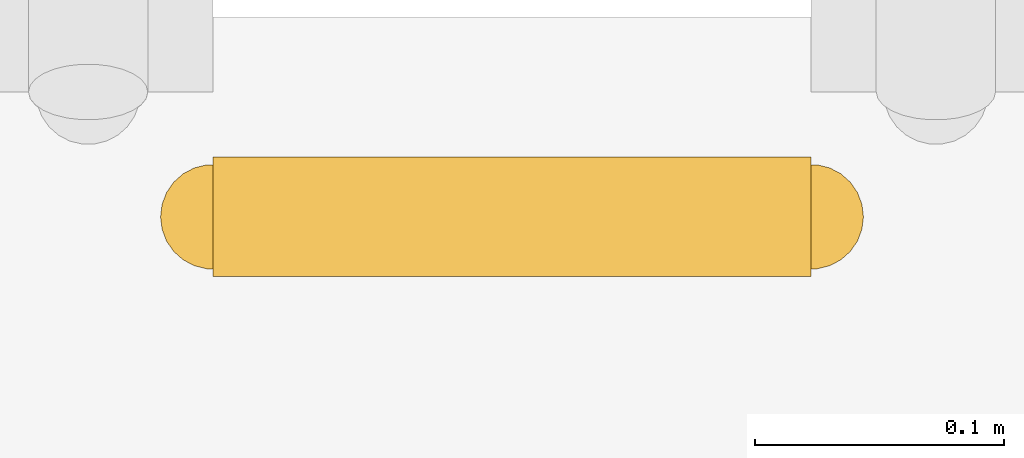
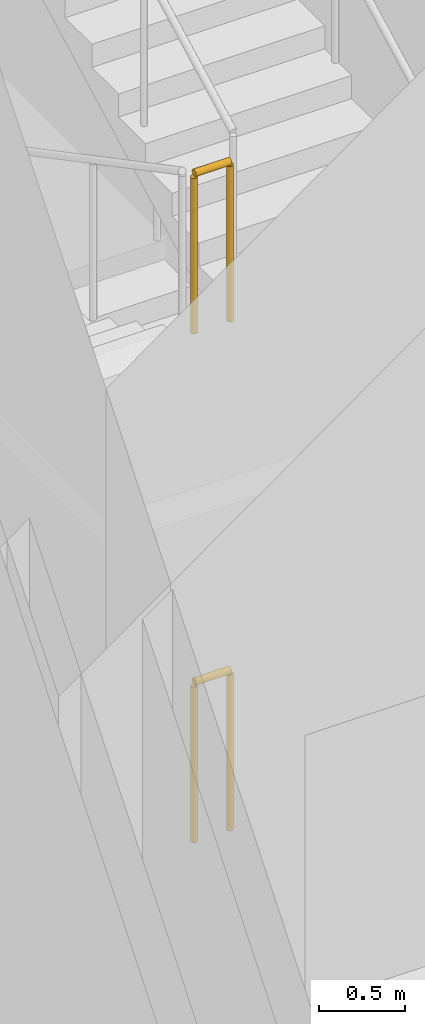
# One storey, part 7 of 10: 2 railings.
"""IFC4 building model written with IfcOpenShell, lengths in metres."""

from ifc_helpers import new_model, si_unit, direction, frame, origin, origin_2d, place, context, subcontext, project, spatial, circle, extrude, material, type_object, element, save


model = new_model("IFC4")

# Units and contexts
model_context = context("Model", 3, precision=1e-05, world=origin(), true_north=direction((0.0, 1.0)))
body_context = subcontext(model_context, "Body", "Model", "MODEL_VIEW")
ifc_project = project(units=[si_unit("LENGTHUNIT", "METRE"), si_unit("AREAUNIT", "SQUARE_METRE"), si_unit("VOLUMEUNIT", "CUBIC_METRE"), si_unit("PLANEANGLEUNIT", "RADIAN"), si_unit("MASSUNIT", "GRAM", prefix="KILO")], contexts=[model_context])

# Site, building, storey
site_placement = place(None, origin())
site = spatial("IfcSite", under=ifc_project, at=site_placement, CompositionType="ELEMENT")
building_placement = place(site_placement, origin())
building = spatial("IfcBuilding", under=site, at=building_placement, Name="Khoralis Quay Care Tower", CompositionType="ELEMENT")
storey_placement = place(building_placement, frame((0.0, 0.0, 148.5)))
storey = spatial("IfcBuildingStorey", under=building, at=storey_placement, Name="L39", CompositionType="ELEMENT", Elevation=148.5)

# Railings
ifc_material = material(Name="Brushed stainless steel", Category="steel")
railing_type = type_object("IfcRailingType", Name="RL-GUARD-1150", PredefinedType="GUARDRAIL", material=ifc_material)
for number, where, name in (
    (1, (9.77001953125, 16.719970703125, 3.60009765625), "L39 ST-T1 stair guard 4"),
    (2, (9.77001953125, 16.719970703125, 0.0), "L39 ST-T1 stair guard 8"),
):
    element("IfcRailing", number, at=place(storey_placement, frame(where)), inside=storey, type_object=railing_type, Name=name, PredefinedType="GUARDRAIL", context=body_context, shape_type="SweptSolid", body=[
        extrude(circle(Radius=0.02392578125, at=origin_2d()), frame((0.0, 0.0, 1.1259765625), z_axis=(-1.0, 0.0, 0.0), x_axis=(0.0, -1.0, 0.0)), (0.0, 0.0, 1.0), 0.239990234375),
        extrude(circle(Radius=0.02099609375, at=origin_2d()), origin(), (0.0, 0.0, 1.0), 1.101806640625),
        extrude(circle(Radius=0.02099609375, at=origin_2d()), frame((-0.239990234375, 0.0, 0.0)), (0.0, 0.0, 1.0), 1.101806640625),
    ])

save(model, "model.ifc")
